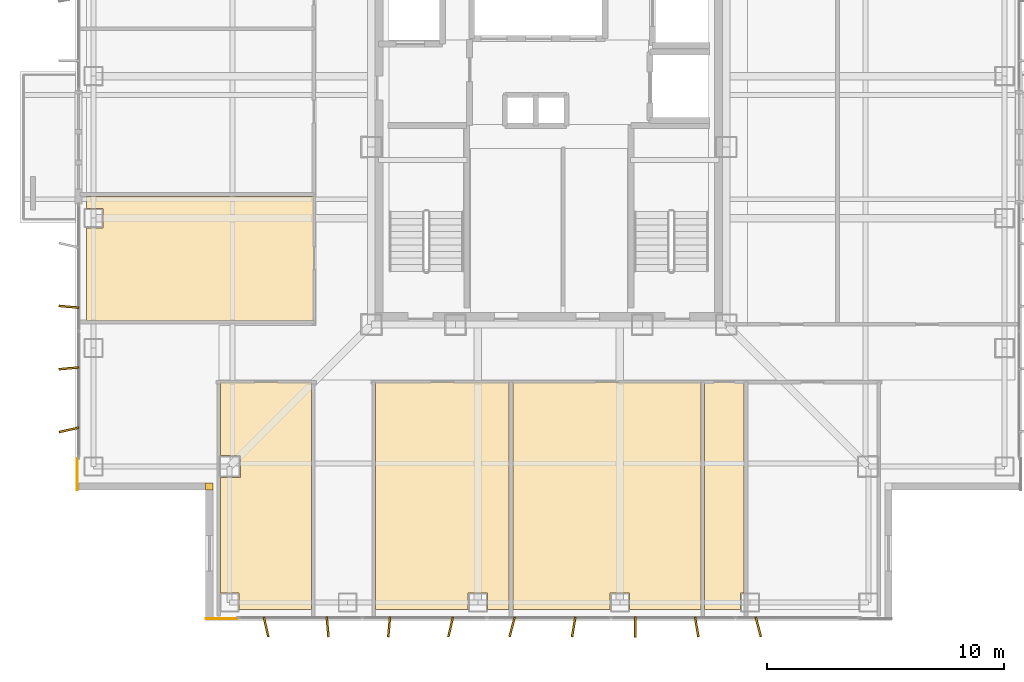
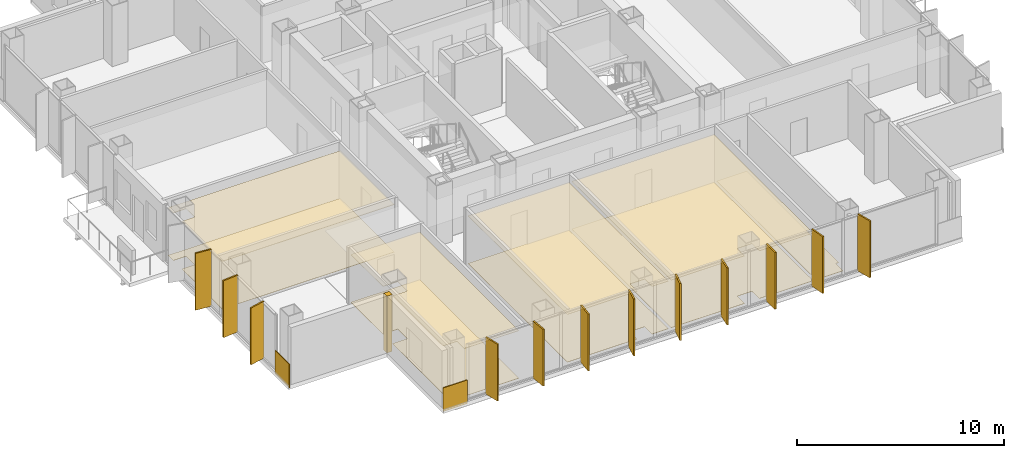
# One storey, part 13 of 15: 12 coverings, 12 shading devices.
"""IFC4 building model written with IfcOpenShell, lengths in metres."""

from ifc_helpers import new_model, si_unit, direction, frame, frame_2d, origin, origin_2d, place, context, subcontext, project, spatial, polyline, rectangle, outline, extrude, material, layer, layer_set, type_object, element, save


model = new_model("IFC4")

# Units and contexts
model_context = context("Model", 3, precision=1e-05, world=origin(), true_north=direction((0.0, 1.0)))
body_context = subcontext(model_context, "Body", "Model", "MODEL_VIEW")
ifc_project = project(units=[si_unit("LENGTHUNIT", "METRE"), si_unit("AREAUNIT", "SQUARE_METRE"), si_unit("VOLUMEUNIT", "CUBIC_METRE"), si_unit("PLANEANGLEUNIT", "RADIAN"), si_unit("MASSUNIT", "GRAM", prefix="KILO")], contexts=[model_context])

# Site, building, storey
site_placement = place(None, origin())
site = spatial("IfcSite", under=ifc_project, at=site_placement, CompositionType="ELEMENT")
building_placement = place(site_placement, origin())
building = spatial("IfcBuilding", under=site, at=building_placement, Name="Trevonay Congress Spire", CompositionType="ELEMENT")
storey_placement = place(building_placement, frame((0.0, 0.0, 216.60009765625)))
storey = spatial("IfcBuildingStorey", under=building, at=storey_placement, Name="L56", CompositionType="ELEMENT", Elevation=216.60009765625)

# Coverings
ifc_material_1 = material(Name="Acoustic Mineral Fibre Board", Category="gypsum")
ifc_layer_1 = layer(ifc_material_1, 0.02490234375, Name="Acoustic Mineral Fibre Board")
ifc_layer_set_1 = layer_set([ifc_layer_1], Name="Acoustic Mineral Fibre Board")
covering_type_1 = type_object("IfcCoveringType", Name="COV-CEIL-ACOUSTIC", PredefinedType="CEILING", material=ifc_layer_set_1)
covering_1_placement = place(storey_placement, frame((0.0, 0.0, 2.809814453125)))
element("IfcCovering", 1, at=covering_1_placement, inside=storey, type_object=covering_type_1, Name="L56 Chief Risk Officer Office acoustic suspended ceiling", PredefinedType="CEILING", context=body_context, shape_type="SweptSolid", body=[
    extrude(outline(polyline([(-13.8701171875, -9.929931640625), (-10.030029296875, -9.929931640625), (-10.030029296875, -19.550048828125), (-13.090087890625, -19.550048828125), (-13.090087890625, -18.840087890625), (-13.8701171875, -18.840087890625), (-13.8701171875, -13.9599609375), (-13.0400390625, -13.9599609375), (-13.0400390625, -13.0400390625), (-13.8701171875, -13.0400390625), (-13.8701171875, -9.929931640625)])), origin(), (0.0, 0.0, 1.0), 0.025146484375),
])
covering_2_placement = place(storey_placement, frame((0.0, 0.0, 2.809814453125)))
element("IfcCovering", 2, at=covering_2_placement, inside=storey, type_object=covering_type_1, Name="L56 Fixed-Income Quant Office acoustic suspended ceiling", PredefinedType="CEILING", context=body_context, shape_type="SweptSolid", body=[
    extrude(outline(polyline([(-7.320068359375, -19.550048828125), (-7.320068359375, -9.929931640625), (-1.679931640625, -9.929931640625), (-1.679931640625, -19.550048828125), (-2.590087890625, -19.550048828125), (-2.590087890625, -18.840087890625), (-3.409912109375, -18.840087890625), (-3.409912109375, -19.550048828125), (-7.320068359375, -19.550048828125)])), origin(), (0.0, 0.0, 1.0), 0.025146484375),
])
covering_3_placement = place(storey_placement, frame((0.0, 0.0, 2.809814453125)))
element("IfcCovering", 3, at=covering_3_placement, inside=storey, type_object=covering_type_1, Name="L56 Commodities Desk Office acoustic suspended ceiling", PredefinedType="CEILING", context=body_context, shape_type="SweptSolid", body=[
    extrude(outline(polyline([(-1.52001953125, -19.550048828125), (-1.52001953125, -9.929931640625), (6.419921875, -9.929931640625), (6.419921875, -19.550048828125), (3.409912109375, -19.550048828125), (3.409912109375, -18.840087890625), (2.590087890625, -18.840087890625), (2.590087890625, -19.550048828125), (-1.52001953125, -19.550048828125)])), origin(), (0.0, 0.0, 1.0), 0.025146484375),
])
covering_4_placement = place(storey_placement, frame((0.0, 0.0, 2.809814453125)))
element("IfcCovering", 4, at=covering_4_placement, inside=storey, type_object=covering_type_1, Name="L56 Client Briefing Room acoustic suspended ceiling", PredefinedType="CEILING", context=body_context, shape_type="SweptSolid", body=[
    extrude(outline(polyline([(-19.550048828125, -2.080078125), (-9.929931640625, -2.080078125), (-9.929931640625, -7.320068359375), (-19.550048828125, -7.320068359375), (-19.550048828125, -3.409912109375), (-18.840087890625, -3.409912109375), (-18.840087890625, -2.590087890625), (-19.550048828125, -2.590087890625), (-19.550048828125, -2.080078125)])), origin(), (0.0, 0.0, 1.0), 0.025146484375),
])
ifc_material_2 = material(Name="Polished Granite Floor Tile", Category="masonry")
ifc_layer_2 = layer(ifc_material_2, 0.02001953125, Name="Polished Granite Floor Tile")
ifc_layer_set_2 = layer_set([ifc_layer_2], Name="Polished Granite Floor Tile")
covering_type_2 = type_object("IfcCoveringType", Name="COV-FLOOR-STONE", PredefinedType="FLOORING", material=ifc_layer_set_2)
covering_5_placement = place(storey_placement, origin())
element("IfcCovering", 5, at=covering_5_placement, inside=storey, type_object=covering_type_2, Name="L56 Accessible WC floor finish", PredefinedType="FLOORING", context=body_context, shape_type="SweptSolid", body=[
    extrude(outline(polyline([(6.580078125, -19.550048828125), (6.580078125, -9.929931640625), (8.25, -9.929931640625), (8.25, -18.840087890625), (8.090087890625, -18.840087890625), (8.090087890625, -19.550048828125), (6.580078125, -19.550048828125)])), origin(), (0.0, 0.0, 1.0), 0.02001953125),
])
ifc_material_3 = material(Name="Engineered Oak Flooring", Category="wood")
ifc_layer_3 = layer(ifc_material_3, 0.01806640625, Name="Engineered Oak Flooring")
ifc_layer_set_3 = layer_set([ifc_layer_3], Name="Engineered Oak Flooring")
covering_type_3 = type_object("IfcCoveringType", Name="COV-FLOOR-TIMBER", PredefinedType="FLOORING", material=ifc_layer_set_3)
covering_6_placement = place(storey_placement, origin())
element("IfcCovering", 6, at=covering_6_placement, inside=storey, type_object=covering_type_3, Name="L56 Chief Risk Officer Office floor finish", PredefinedType="FLOORING", context=body_context, shape_type="SweptSolid", body=[
    extrude(outline(polyline([(-13.8701171875, -9.929931640625), (-10.030029296875, -9.929931640625), (-10.030029296875, -19.550048828125), (-13.090087890625, -19.550048828125), (-13.090087890625, -18.840087890625), (-13.8701171875, -18.840087890625), (-13.8701171875, -13.9599609375), (-13.0400390625, -13.9599609375), (-13.0400390625, -13.0400390625), (-13.8701171875, -13.0400390625), (-13.8701171875, -9.929931640625)])), origin(), (0.0, 0.0, 1.0), 0.017822265625),
])
covering_7_placement = place(storey_placement, origin())
element("IfcCovering", 7, at=covering_7_placement, inside=storey, type_object=covering_type_3, Name="L56 Fixed-Income Quant Office floor finish", PredefinedType="FLOORING", context=body_context, shape_type="SweptSolid", body=[
    extrude(outline(polyline([(-7.320068359375, -19.550048828125), (-7.320068359375, -9.929931640625), (-1.679931640625, -9.929931640625), (-1.679931640625, -19.550048828125), (-2.590087890625, -19.550048828125), (-2.590087890625, -18.840087890625), (-3.409912109375, -18.840087890625), (-3.409912109375, -19.550048828125), (-7.320068359375, -19.550048828125)])), origin(), (0.0, 0.0, 1.0), 0.017822265625),
])
covering_8_placement = place(storey_placement, origin())
element("IfcCovering", 8, at=covering_8_placement, inside=storey, type_object=covering_type_3, Name="L56 Commodities Desk Office floor finish", PredefinedType="FLOORING", context=body_context, shape_type="SweptSolid", body=[
    extrude(outline(polyline([(-1.52001953125, -19.550048828125), (-1.52001953125, -9.929931640625), (6.419921875, -9.929931640625), (6.419921875, -19.550048828125), (3.409912109375, -19.550048828125), (3.409912109375, -18.840087890625), (2.590087890625, -18.840087890625), (2.590087890625, -19.550048828125), (-1.52001953125, -19.550048828125)])), origin(), (0.0, 0.0, 1.0), 0.017822265625),
])
covering_9_placement = place(storey_placement, origin())
element("IfcCovering", 9, at=covering_9_placement, inside=storey, type_object=covering_type_3, Name="L56 Client Briefing Room floor finish", PredefinedType="FLOORING", context=body_context, shape_type="SweptSolid", body=[
    extrude(outline(polyline([(-19.550048828125, -2.080078125), (-9.929931640625, -2.080078125), (-9.929931640625, -7.320068359375), (-19.550048828125, -7.320068359375), (-19.550048828125, -3.409912109375), (-18.840087890625, -3.409912109375), (-18.840087890625, -2.590087890625), (-19.550048828125, -2.590087890625), (-19.550048828125, -2.080078125)])), origin(), (0.0, 0.0, 1.0), 0.017822265625),
])
ifc_material_4 = material(Name="Pale Anodised Aluminium EN AW-6063-T6", Category="aluminium")
ifc_layer_4 = layer(ifc_material_4, 0.0400390625, Name="Pale Anodised Aluminium EN AW-6063-T6")
ifc_layer_set_4 = layer_set([ifc_layer_4], Name="Pale Anodised Aluminium EN AW-6063-T6")
covering_type_4 = type_object("IfcCoveringType", Name="COV-SPANDREL-PALE-METAL", PredefinedType="CLADDING", material=ifc_layer_set_4)
covering_10_placement = place(storey_placement, origin())
element("IfcCovering", 10, at=covering_10_placement, inside=storey, type_object=covering_type_4, Name="L56 SW re-entrant notch corner closure trim", PredefinedType="CLADDING", context=body_context, shape_type="SweptSolid", body=[
    extrude(outline(polyline([(-14.5, -14.5), (-14.199951171875, -14.5), (-14.199951171875, -14.199951171875), (-14.5, -14.199951171875), (-14.5, -14.5)])), origin(), (0.0, 0.0, 1.0), 3.35986328125),
])
for number, where, z_axis, x_axis, name in (
    (11, (-19.93994140625, -13.14990234375, -0.150146484375), (0.0, 0.0, 1.0), (0.0, -1.0, 0.0), "L56 SW corner pier spandrel cladding 1"),
    (12, (-13.14990234375, -19.93994140625, -0.150146484375), (0.0, 0.0, 1.0), (-1.0, 0.0, 0.0), "L56 SW corner pier spandrel cladding 2"),
):
    element("IfcCovering", number, at=place(storey_placement, frame(where, z_axis=z_axis, x_axis=x_axis)), inside=storey, type_object=covering_type_4, Name=name, PredefinedType="CLADDING", context=body_context, shape_type="SweptSolid", body=[
        extrude(rectangle(XDim=1.35009765625, YDim=0.0400390625, at=frame_2d((0.675048828125, 0.0))), origin(), (0.0, 0.0, 1.0), 1.400146484375),
    ])

# Shading devices
shading_device_type = type_object("IfcShadingDeviceType", Name="SHD-FIN-Z3-PALE-METAL", PredefinedType="USERDEFINED", material=ifc_material_4)
for number, where, z_axis, x_axis, name in (
    (13, (-11.949951171875, -20.280029296875, 0.0), (0.0, 0.0, 1.0), (0.97440931131, 0.224780991261, 0.0), "L56 S vertical pale-metal solar fin 1"),
    (14, (-9.35009765625, -20.280029296875, 0.0), (0.0, 0.0, 1.0), (0.995994383933, 0.089415810539, 0.0), "L56 S vertical pale-metal solar fin 2"),
    (15, (-6.75, -20.280029296875, 0.0), (0.0, 0.0, 1.0), (0.995994383933, -0.089415810539, 0.0), "L56 S vertical pale-metal solar fin 3"),
    (16, (-4.14990234375, -20.280029296875, 0.0), (0.0, 0.0, 1.0), (0.97440931131, -0.224780991261, 0.0), "L56 S vertical pale-metal solar fin 4"),
    (17, (-1.550048828125, -20.280029296875, 0.0), (0.0, 0.0, 1.0), (0.966957007154, -0.2549394954, 0.0), "L56 S vertical pale-metal solar fin 5"),
    (18, (1.050048828125, -20.280029296875, 0.0), (0.0, 0.0, 1.0), (0.98587937025, -0.16745706111, 0.0), "L56 S vertical pale-metal solar fin 6"),
    (19, (3.64990234375, -20.280029296875, 0.0), (0.0, 0.0, 1.0), (1.0, 0.0, 0.0), "L56 S vertical pale-metal solar fin 7"),
    (20, (6.25, -20.280029296875, 0.0), (0.0, 0.0, 1.0), (0.98587937025, 0.16745706111, 0.0), "L56 S vertical pale-metal solar fin 8"),
    (21, (8.85009765625, -20.280029296875, 0.0), (0.0, 0.0, 1.0), (0.966957007154, 0.2549394954, 0.0), "L56 S vertical pale-metal solar fin 9"),
    (22, (-20.280029296875, -11.949951171875, 0.0), (0.0, 0.0, 1.0), (-0.224780991261, 0.97440931131, 0.0), "L56 W vertical pale-metal solar fin 1"),
    (23, (-20.280029296875, -9.35009765625, 0.0), (0.0, 0.0, 1.0), (-0.089415810539, 0.995994383933, 0.0), "L56 W vertical pale-metal solar fin 2"),
    (24, (-20.280029296875, -6.75, 0.0), (0.0, 0.0, 1.0), (0.089415810539, 0.995994383933, 0.0), "L56 W vertical pale-metal solar fin 3"),
):
    element("IfcShadingDevice", number, at=place(storey_placement, frame(where, z_axis=z_axis, x_axis=x_axis)), inside=storey, type_object=shading_device_type, Name=name, ObjectType="SOLAR FIN", PredefinedType="USERDEFINED", context=body_context, shape_type="SweptSolid", body=[
        extrude(rectangle(XDim=0.080078125, YDim=0.85009765625, at=origin_2d()), origin(), (0.0, 0.0, 1.0), 3.360107421875),
    ])

save(model, "model.ifc")
